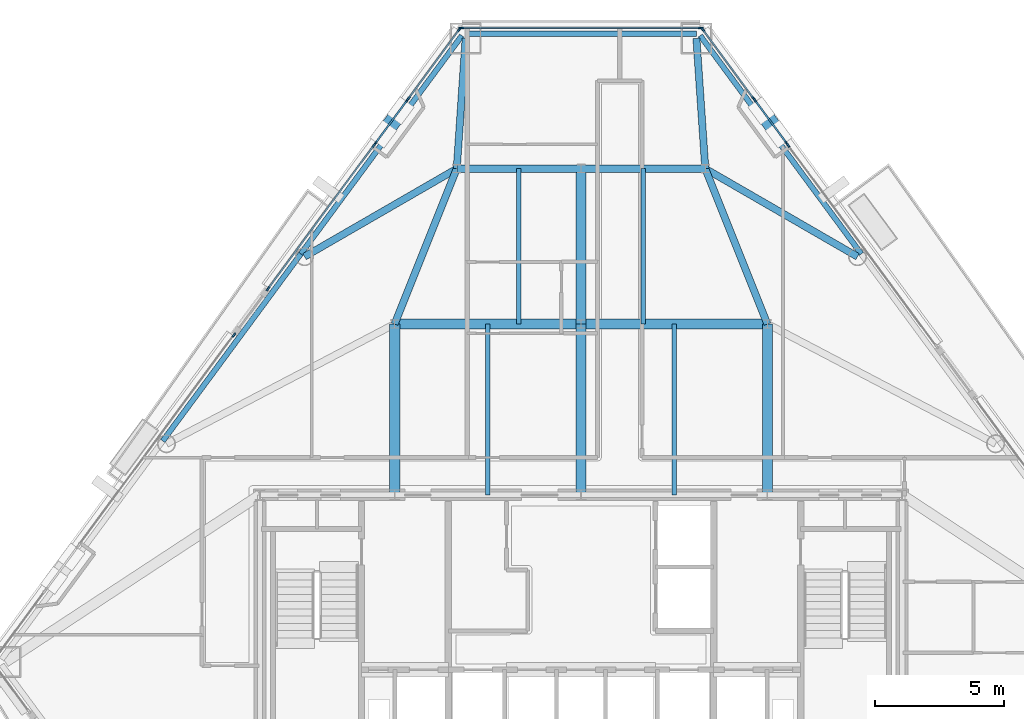
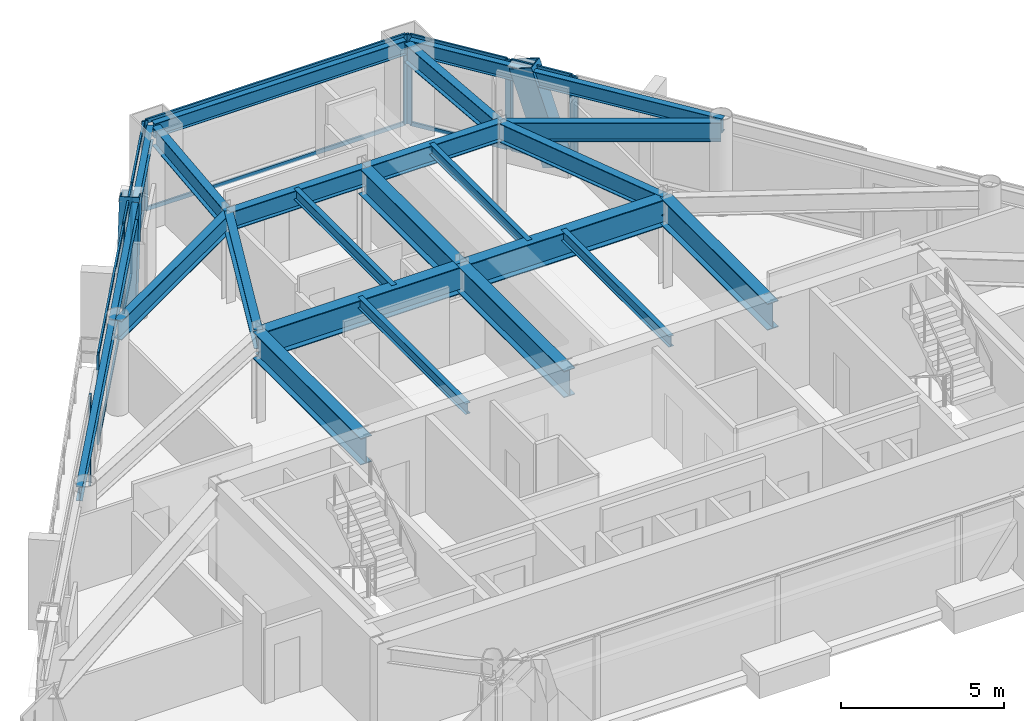
# One storey, part 4 of 11: 28 members, 22 beams, 8 elements without a shape of their own.
"""IFC4 building model written with IfcOpenShell, lengths in metres."""

import ifcopenshell
import ifcopenshell.guid

model = None  # the IFC model being written
_history = None  # IfcOwnerHistory: only IFC2X3 demands one
_inside = {}  # id of a spatial element -> (the spatial element, [elements in it])
_under = {}  # id of a project, library or spatial element -> (it, [spatial elements below it])
_declared = {}  # id of a project -> (the project, [libraries it declares])
_typed = {}  # id of a type object -> (the type object, [elements of that type])
_made_of = {}  # id of a material, layer set ... -> (it, [elements and type objects made of it])


def new_model(schema):
    """Start an empty IFC model of exactly this schema.

    Asked for "IFC4X3", IfcOpenShell would pick the latest addendum, in which some entities
    have other attributes; the version numbers below select the first issue.
    IFC2X3 requires an IfcOwnerHistory on every rooted entity: one is made here for all.
    """
    global model, _history
    if schema == "IFC4X3":
        model = ifcopenshell.file(schema_version=(4, 3, 0, 0))
    else:
        model = ifcopenshell.file(schema=schema)
    _inside.clear()
    _under.clear()
    _declared.clear()
    _typed.clear()
    _made_of.clear()
    _history = None
    if model.schema == "IFC2X3":
        org = make("IfcOrganization", Name="unknown")
        user = make(
            "IfcPersonAndOrganization",
            ThePerson=make("IfcPerson", FamilyName="unknown"),
            TheOrganization=org,
        )
        app = make(
            "IfcApplication",
            ApplicationDeveloper=org,
            Version="unknown",
            ApplicationFullName="unknown",
            ApplicationIdentifier="unknown",
        )
        _history = make(
            "IfcOwnerHistory",
            OwningUser=user,
            OwningApplication=app,
            ChangeAction="ADDED",
            CreationDate=0,
        )
    return model


def make(cls, **values):
    """One entity of the class cls with the attributes given. An attribute that is None is left unset."""
    return model.create_entity(
        cls, **{name: value for name, value in values.items() if value is not None}
    )


def rooted(cls, **values):
    """An entity with a GlobalId (a new one), such as an element, a storey or a relation."""
    return make(cls, GlobalId=ifcopenshell.guid.new(), OwnerHistory=_history, **values)


def si_unit(unit_type, name, prefix=None):
    """IfcSIUnit, for example si_unit("LENGTHUNIT", "METRE", prefix="MILLI")."""
    return make("IfcSIUnit", UnitType=unit_type, Prefix=prefix, Name=name)


def assignment(units):
    """IfcUnitAssignment: the units of a project."""
    return None if units is None else make("IfcUnitAssignment", Units=units)


def point(xyz):
    """IfcCartesianPoint."""
    return None if xyz is None else make("IfcCartesianPoint", Coordinates=xyz)


def direction(xyz):
    """IfcDirection."""
    return None if xyz is None else make("IfcDirection", DirectionRatios=xyz)


def frame(location, z_axis=None, x_axis=None):
    """IfcAxis2Placement3D, a coordinate frame: its origin and axes. An axis left out is left unset."""
    return make(
        "IfcAxis2Placement3D",
        Location=point(location),
        Axis=direction(z_axis),
        RefDirection=direction(x_axis),
    )


def frame_2d(location, x_axis=None):
    """IfcAxis2Placement2D, a coordinate frame in the plane: its origin and x axis."""
    return make(
        "IfcAxis2Placement2D", Location=point(location), RefDirection=direction(x_axis)
    )


def origin():
    """The frame at (0, 0, 0) with its axes left unset."""
    return frame((0.0, 0.0, 0.0))


def origin_2d():
    """The frame at (0, 0) in the plane with its x axis left unset."""
    return frame_2d((0.0, 0.0))


def place(relative_to, where):
    """IfcLocalPlacement: puts the frame where relative to a parent placement (None: the world)."""
    return make(
        "IfcLocalPlacement", PlacementRelTo=relative_to, RelativePlacement=where
    )


def context(
    kind, dimensions, precision=None, world=None, true_north=None, identifier=None
):
    """IfcGeometricRepresentationContext, for example the 3D "Model" context."""
    return make(
        "IfcGeometricRepresentationContext",
        ContextIdentifier=identifier,
        ContextType=kind,
        CoordinateSpaceDimension=dimensions,
        Precision=precision,
        WorldCoordinateSystem=world,
        TrueNorth=true_north,
    )


def subcontext(parent, identifier, kind, view, scale=None):
    """IfcGeometricRepresentationSubContext, for example "Body" below "Model"."""
    return make(
        "IfcGeometricRepresentationSubContext",
        ContextIdentifier=identifier,
        ContextType=kind,
        ParentContext=parent,
        TargetScale=scale,
        TargetView=view,
    )


def project(units=None, contexts=None):
    """IfcProject with its units and contexts."""
    return rooted(
        "IfcProject",
        Name="project",
        RepresentationContexts=contexts,
        UnitsInContext=assignment(units),
    )


def spatial(cls, under=None, at=None, **own):
    """A site, building, storey or space (cls), placed at a placement, below another one or the project."""
    s = rooted(cls, ObjectPlacement=at, **own)
    if under is not None:
        _under.setdefault(under.id(), (under, []))[1].append(s)
    return s


def profile(cls, at=None, kind="AREA", **sizes):
    """A parametric profile (cls). Its sizes go by their IFC names, for example OverallWidth=200.0."""
    return make(cls, ProfileType=kind, Position=at, **sizes)


def rectangle(**sizes):
    """IfcRectangleProfileDef."""
    return profile("IfcRectangleProfileDef", **sizes)


def hollow_rectangle(**sizes):
    """IfcRectangleHollowProfileDef."""
    return profile("IfcRectangleHollowProfileDef", **sizes)


def i_section(**sizes):
    """IfcIShapeProfileDef."""
    return profile("IfcIShapeProfileDef", **sizes)


def extrude(swept, where, along, depth):
    """IfcExtrudedAreaSolid: the profile swept, set in the frame where, extruded along a direction by depth."""
    return make(
        "IfcExtrudedAreaSolid",
        SweptArea=swept,
        Position=where,
        ExtrudedDirection=direction(along),
        Depth=depth,
    )


def shape(context_of_items, identifier, shape_type, items):
    """IfcShapeRepresentation: the items that make up one representation, for example the "Body"."""
    return make(
        "IfcShapeRepresentation",
        ContextOfItems=context_of_items,
        RepresentationIdentifier=identifier,
        RepresentationType=shape_type,
        Items=items,
    )


def material(Name=None, Category=None):
    """IfcMaterial."""
    return make("IfcMaterial", Name=Name, Category=Category)


def layer(
    of_material, thickness, ventilated=None, Name=None, Category=None, Priority=None
):
    """IfcMaterialLayer: one layer of a wall or slab, of a material (None: an air gap)."""
    return make(
        "IfcMaterialLayer",
        Material=of_material,
        LayerThickness=thickness,
        IsVentilated=ventilated,
        Name=Name,
        Category=Category,
        Priority=Priority,
    )


def layer_set(layers, Name=None):
    """IfcMaterialLayerSet."""
    return make("IfcMaterialLayerSet", MaterialLayers=layers, LayerSetName=Name)


def material_profile(
    of_material, cross_section, Name=None, Category=None, Priority=None
):
    """IfcMaterialProfile: a cross section and its material."""
    return make(
        "IfcMaterialProfile",
        Name=Name,
        Material=of_material,
        Profile=cross_section,
        Priority=Priority,
        Category=Category,
    )


def profile_set(profiles, Name=None, composite=None):
    """IfcMaterialProfileSet."""
    return make(
        "IfcMaterialProfileSet",
        Name=Name,
        MaterialProfiles=profiles,
        CompositeProfile=composite,
    )


def made_of(thing, what):
    """Note that an element or type object is made of a material, layer set ...; save() writes the relation."""
    if what is not None:
        _made_of.setdefault(what.id(), (what, []))[1].append(thing)
    return thing


def type_object(cls, material=None, **own):
    """A type object (cls), such as IfcWallType, which elements share."""
    return made_of(rooted(cls, **own), material)


def element(
    cls,
    number,
    at=None,
    inside=None,
    cuts=None,
    type_object=None,
    material=None,
    context=None,
    identifier="Body",
    shape_type=None,
    held_by="IfcProductDefinitionShape",
    body=None,
    shapes=None,
    **own,
):
    """One element of the class cls, such as IfcWall. Its Tag is "e" and its number.

    at: its placement. inside: the storey or other place that contains it. cuts: it is an
    opening in that element (IfcRelVoidsElement). A single representation is given by context,
    identifier, shape_type and body (its items); several are given by shapes. held_by: the class
    of the entity that holds the representations. save() writes the other relations.
    """
    e = rooted(cls, Tag="e%d" % number, ObjectPlacement=at, **own)
    if body is not None:
        shapes = [shape(context, identifier, shape_type, body)]
    if shapes is not None:
        e.Representation = make(held_by, Representations=shapes)
    if inside is not None:
        _inside.setdefault(inside.id(), (inside, []))[1].append(e)
    if cuts is not None:
        rooted(
            "IfcRelVoidsElement", RelatingBuildingElement=cuts, RelatedOpeningElement=e
        )
    if type_object is not None:
        _typed.setdefault(type_object.id(), (type_object, []))[1].append(e)
    return made_of(e, material)


def aggregate(whole, parts):
    """IfcRelAggregates: a whole, such as a stair, and the parts it consists of."""
    return rooted("IfcRelAggregates", RelatingObject=whole, RelatedObjects=parts)


def save(model, path):
    """Write the relations noted so far, then the file.

    IfcRelAggregates (storeys below a building ...), IfcRelContainedInSpatialStructure (elements
    in a storey), IfcRelDefinesByType, IfcRelAssociatesMaterial and IfcRelDeclares: one each for
    every whole, place, type object, material and project.
    """
    for whole, parts in _under.values():
        aggregate(whole, parts)
    for where, things in _inside.values():
        rooted(
            "IfcRelContainedInSpatialStructure",
            RelatedElements=things,
            RelatingStructure=where,
        )
    for kind, things in _typed.values():
        rooted("IfcRelDefinesByType", RelatedObjects=things, RelatingType=kind)
    for what, things in _made_of.values():
        rooted("IfcRelAssociatesMaterial", RelatedObjects=things, RelatingMaterial=what)
    for by, libraries in _declared.values():
        rooted("IfcRelDeclares", RelatingContext=by, RelatedDefinitions=libraries)
    model.write(path)


model = new_model("IFC4")

# Units and contexts
model_context = context("Model", 3, precision=1e-05, world=origin(), true_north=direction((0.0, 1.0)))
body_context = subcontext(model_context, "Body", "Model", "MODEL_VIEW")
ifc_project = project(units=[si_unit("LENGTHUNIT", "METRE"), si_unit("AREAUNIT", "SQUARE_METRE"), si_unit("VOLUMEUNIT", "CUBIC_METRE"), si_unit("PLANEANGLEUNIT", "RADIAN"), si_unit("MASSUNIT", "GRAM", prefix="KILO")], contexts=[model_context])

# Site, building, storey
site_placement = place(None, origin())
site = spatial("IfcSite", under=ifc_project, at=site_placement, CompositionType="ELEMENT")
building_placement = place(site_placement, origin())
building = spatial("IfcBuilding", under=site, at=building_placement, Name="Talgorran Terracotta Tower", CompositionType="ELEMENT")
storey_placement = place(building_placement, frame((0.0, 0.0, 158.10009765625)))
storey = spatial("IfcBuildingStorey", under=building, at=storey_placement, Name="L41", CompositionType="ELEMENT", Elevation=158.10009765625)

# Beams
ifc_material_1 = material(Name="Steel Grade 350 (350L0)", Category="steel")
ifc_material_profile_1 = material_profile(ifc_material_1, i_section(OverallWidth=0.39990234375, OverallDepth=1.0, WebThickness=0.01611328125, FlangeThickness=0.031005859375, at=origin_2d()), Name="1000WB296")
ifc_profile_set_1 = profile_set([ifc_material_profile_1], Name="Steel Grade 350 (350L0)")
beam_type_1 = type_object("IfcBeamType", Name="BM_1000WB296", PredefinedType="BEAM", material=ifc_profile_set_1)
for number, where, z_axis, x_axis, name in (
    (1, (-7.199951171875, -4.199951171875, 2.849853515625), (0.0, 1.0, 0.0), (-1.0, 0.0, 0.0), "L41 Floor Girder G01"),
    (2, (0.0, -4.199951171875, 2.849853515625), (0.0, 1.0, 0.0), (-1.0, 0.0, 0.0), "L41 Floor Girder G02"),
    (3, (7.199951171875, -4.199951171875, 2.849853515625), (0.0, 1.0, 0.0), (-1.0, 0.0, 0.0), "L41 Floor Girder G03"),
):
    element("IfcBeam", number, at=place(storey_placement, frame(where, z_axis=z_axis, x_axis=x_axis)), inside=storey, type_object=beam_type_1, Name=name, PredefinedType="BEAM", context=body_context, shape_type="SweptSolid", body=[
        extrude(i_section(OverallWidth=0.39990234375, OverallDepth=1.0, WebThickness=0.01611328125, FlangeThickness=0.031005859375, at=origin_2d()), origin(), (0.0, 0.0, 1.0), 6.599853515625),
    ])
for number, where, z_axis, x_axis, name in (
    (4, (-7.199951171875, 2.39990234375, 2.849853515625), (1.0, 0.0, 0.0), (0.0, 1.0, 0.0), "L41 Floor Girder G04"),
    (5, (0.0, 2.39990234375, 2.849853515625), (1.0, 0.0, 0.0), (0.0, 1.0, 0.0), "L41 Floor Girder G05"),
):
    element("IfcBeam", number, at=place(storey_placement, frame(where, z_axis=z_axis, x_axis=x_axis)), inside=storey, type_object=beam_type_1, Name=name, PredefinedType="BEAM", context=body_context, shape_type="SweptSolid", body=[
        extrude(i_section(OverallWidth=0.39990234375, OverallDepth=1.0, WebThickness=0.01611328125, FlangeThickness=0.031005859375, at=origin_2d()), origin(), (0.0, 0.0, 1.0), 7.199951171875),
    ])
beam_1_placement = place(storey_placement, frame((0.0, 2.39990234375, 2.849853515625), z_axis=(0.0, 1.0, 0.0), x_axis=(-1.0, 0.0, 0.0)))
element("IfcBeam", 6, at=beam_1_placement, inside=storey, type_object=beam_type_1, Name="L41 Floor Girder G09", PredefinedType="BEAM", context=body_context, shape_type="SweptSolid", body=[
    extrude(i_section(OverallWidth=0.39990234375, OverallDepth=1.0, WebThickness=0.01611328125, FlangeThickness=0.031005859375, at=origin_2d()), origin(), (0.0, 0.0, 1.0), 6.0),
])
ifc_material_2 = material(Name="Steel S355 (300PLUS)", Category="steel")
ifc_material_profile_2 = material_profile(ifc_material_2, i_section(OverallWidth=0.27490234375, OverallDepth=0.7080078125, WebThickness=0.011962890625, FlangeThickness=0.02490234375, at=origin_2d()), Name="700WB173")
ifc_profile_set_2 = profile_set([ifc_material_profile_2], Name="Steel S355 (300PLUS)")
beam_type_2 = type_object("IfcBeamType", Name="BM_700WB173", PredefinedType="BEAM", material=ifc_profile_set_2)
for number, where, z_axis, x_axis, name in (
    (7, (-7.199951171875, 2.39990234375, 2.995849609375), (0.371377648723, 0.928481901832, 0.0), (-0.928481901832, 0.371377648723, 0.0), "L41 Floor Girder G08"),
    (8, (7.199951171875, 2.39990234375, 2.995849609375), (-0.371377648723, 0.928481901832, 0.0), (-0.928481901832, -0.371377648723, 0.0), "L41 Floor Girder G10"),
):
    element("IfcBeam", number, at=place(storey_placement, frame(where, z_axis=z_axis, x_axis=x_axis)), inside=storey, type_object=beam_type_2, Name=name, PredefinedType="BEAM", context=body_context, shape_type="SweptSolid", body=[
        extrude(i_section(OverallWidth=0.27490234375, OverallDepth=0.7080078125, WebThickness=0.011962890625, FlangeThickness=0.02490234375, at=origin_2d()), origin(), (0.0, 0.0, 1.0), 6.462158203125),
    ])
for number, where, z_axis, x_axis, name in (
    (9, (-4.800048828125, 8.39990234375, 2.995849609375), (1.0, 0.0, 0.0), (0.0, 1.0, 0.0), "L41 Floor Girder G11"),
    (10, (0.0, 8.39990234375, 2.995849609375), (1.0, 0.0, 0.0), (0.0, 1.0, 0.0), "L41 Floor Girder G12"),
):
    element("IfcBeam", number, at=place(storey_placement, frame(where, z_axis=z_axis, x_axis=x_axis)), inside=storey, type_object=beam_type_2, Name=name, PredefinedType="BEAM", context=body_context, shape_type="SweptSolid", body=[
        extrude(i_section(OverallWidth=0.27490234375, OverallDepth=0.7080078125, WebThickness=0.011962890625, FlangeThickness=0.02490234375, at=origin_2d()), origin(), (0.0, 0.0, 1.0), 4.800048828125),
    ])
for number, where, z_axis, x_axis, name in (
    (11, (-4.800048828125, 8.39990234375, 2.995849609375), (-0.865887916747, -0.500238058959, 0.0), (0.500238058959, -0.865887916747, 0.0), "L41 Floor Girder G13"),
    (12, (4.800048828125, 8.39990234375, 2.995849609375), (0.865887916747, -0.500238058959, 0.0), (0.500238058959, 0.865887916747, 0.0), "L41 Floor Girder G14"),
):
    element("IfcBeam", number, at=place(storey_placement, frame(where, z_axis=z_axis, x_axis=x_axis)), inside=storey, type_object=beam_type_2, Name=name, PredefinedType="BEAM", context=body_context, shape_type="SweptSolid", body=[
        extrude(i_section(OverallWidth=0.27490234375, OverallDepth=0.7080078125, WebThickness=0.011962890625, FlangeThickness=0.02490234375, at=origin_2d()), origin(), (0.0, 0.0, 1.0), 6.789794921875),
    ])
for number, where, z_axis, x_axis, name in (
    (13, (-4.800048828125, 8.39990234375, 2.995849609375), (0.067973543266, 0.99768712401, 0.0), (-0.99768712401, 0.067973543266, 0.0), "L41 Floor Girder G15"),
    (14, (4.800048828125, 8.39990234375, 2.995849609375), (-0.067973543266, 0.99768712401, 0.0), (-0.99768712401, -0.067973543266, 0.0), "L41 Floor Girder G16"),
):
    element("IfcBeam", number, at=place(storey_placement, frame(where, z_axis=z_axis, x_axis=x_axis)), inside=storey, type_object=beam_type_2, Name=name, PredefinedType="BEAM", context=body_context, shape_type="SweptSolid", body=[
        extrude(i_section(OverallWidth=0.27490234375, OverallDepth=0.7080078125, WebThickness=0.011962890625, FlangeThickness=0.02490234375, at=origin_2d()), origin(), (0.0, 0.0, 1.0), 5.04638671875),
    ])
ifc_material_profile_3 = material_profile(ifc_material_2, i_section(OverallWidth=0.177734375, OverallDepth=0.406494140625, WebThickness=0.0078125, FlangeThickness=0.0126953125, at=origin_2d()), Name="410UB59.7")
ifc_profile_set_3 = profile_set([ifc_material_profile_3], Name="Steel S355 (300PLUS)")
beam_type_3 = type_object("IfcBeamType", Name="BM_JS_410UB60", PredefinedType="JOIST", material=ifc_profile_set_3)
for number, where, z_axis, x_axis, name in (
    (15, (-3.60009765625, -4.199951171875, 3.146728515625), (0.0, 1.0, 0.0), (-1.0, 0.0, 0.0), "L41 Secondary Joist J01"),
    (16, (3.60009765625, -4.199951171875, 3.146728515625), (0.0, 1.0, 0.0), (-1.0, 0.0, 0.0), "L41 Secondary Joist J02"),
):
    element("IfcBeam", number, at=place(storey_placement, frame(where, z_axis=z_axis, x_axis=x_axis)), inside=storey, type_object=beam_type_3, Name=name, PredefinedType="JOIST", context=body_context, shape_type="SweptSolid", body=[
        extrude(i_section(OverallWidth=0.177734375, OverallDepth=0.406494140625, WebThickness=0.0078125, FlangeThickness=0.0126953125, at=origin_2d()), origin(), (0.0, 0.0, 1.0), 6.599853515625),
    ])
for number, where, z_axis, x_axis, name in (
    (17, (-2.39990234375, 2.39990234375, 3.146728515625), (0.0, 1.0, 0.0), (-1.0, 0.0, 0.0), "L41 Secondary Joist J03"),
    (18, (2.39990234375, 2.39990234375, 3.146728515625), (0.0, 1.0, 0.0), (-1.0, 0.0, 0.0), "L41 Secondary Joist J04"),
):
    element("IfcBeam", number, at=place(storey_placement, frame(where, z_axis=z_axis, x_axis=x_axis)), inside=storey, type_object=beam_type_3, Name=name, PredefinedType="JOIST", context=body_context, shape_type="SweptSolid", body=[
        extrude(i_section(OverallWidth=0.177734375, OverallDepth=0.406494140625, WebThickness=0.0078125, FlangeThickness=0.0126953125, at=origin_2d()), origin(), (0.0, 0.0, 1.0), 6.0),
    ])
ifc_material_profile_4 = material_profile(ifc_material_2, i_section(OverallWidth=0.209228515625, OverallDepth=0.532958984375, WebThickness=0.01025390625, FlangeThickness=0.015625, at=origin_2d()), Name="530UB92.4")
ifc_profile_set_4 = profile_set([ifc_material_profile_4], Name="Steel S355 (300PLUS)")
beam_type_4 = type_object("IfcBeamType", Name="BM_SP_530UB92", PredefinedType="SPANDREL", material=ifc_profile_set_4)
beam_2_placement = place(storey_placement, frame((10.823974609375, 5.1103515625, 3.08349609375), z_axis=(-0.593801302641, 0.804611715663, 0.0), x_axis=(-0.804611715663, -0.593801302641, 0.0)))
element("IfcBeam", 19, at=beam_2_placement, inside=storey, type_object=beam_type_4, Name="L41 Perimeter Spandrel Beam FC4-MC5", PredefinedType="SPANDREL", context=body_context, shape_type="SweptSolid", body=[
    extrude(i_section(OverallWidth=0.209228515625, OverallDepth=0.532958984375, WebThickness=0.01025390625, FlangeThickness=0.015625, at=origin_2d()), origin(), (0.0, 0.0, 1.0), 10.478515625),
])
beam_3_placement = place(storey_placement, frame((4.45703125, 13.614501953125, 3.08349609375), z_axis=(-1.0, 0.0, 0.0), x_axis=(0.0, -1.0, 0.0)))
element("IfcBeam", 20, at=beam_3_placement, inside=storey, type_object=beam_type_4, Name="L41 Perimeter Spandrel Beam MC5-MC6", PredefinedType="SPANDREL", context=body_context, shape_type="SweptSolid", body=[
    extrude(i_section(OverallWidth=0.209228515625, OverallDepth=0.532958984375, WebThickness=0.01025390625, FlangeThickness=0.015625, at=origin_2d()), origin(), (0.0, 0.0, 1.0), 8.9140625),
])
beam_4_placement = place(storey_placement, frame((-4.601806640625, 13.54150390625, 3.08349609375), z_axis=(-0.593801302641, -0.804611715663, 0.0), x_axis=(0.804611715663, -0.593801302641, 0.0)))
element("IfcBeam", 21, at=beam_4_placement, inside=storey, type_object=beam_type_4, Name="L41 Perimeter Spandrel Beam MC6-FC5", PredefinedType="SPANDREL", context=body_context, shape_type="SweptSolid", body=[
    extrude(i_section(OverallWidth=0.209228515625, OverallDepth=0.532958984375, WebThickness=0.01025390625, FlangeThickness=0.015625, at=origin_2d()), origin(), (0.0, 0.0, 1.0), 10.478515625),
])
beam_5_placement = place(storey_placement, frame((-10.823974609375, 5.1103515625, 3.08349609375), z_axis=(-0.593775624387, -0.804630665513, 0.0), x_axis=(0.804630665513, -0.593775624387, 0.0)))
element("IfcBeam", 22, at=beam_5_placement, inside=storey, type_object=beam_type_4, Name="L41 Perimeter Spandrel Beam FC5-FC6", PredefinedType="SPANDREL", context=body_context, shape_type="SweptSolid", body=[
    extrude(i_section(OverallWidth=0.209228515625, OverallDepth=0.532958984375, WebThickness=0.01025390625, FlangeThickness=0.015625, at=origin_2d()), origin(), (0.0, 0.0, 1.0), 8.9814453125),
])

# Members
ifc_material_profile_5 = material_profile(ifc_material_1, hollow_rectangle(XDim=0.6201171875, YDim=0.780029296875, WallThickness=0.0419921875, at=origin_2d()), Name="WBOX780X620X42")
ifc_profile_set_5 = profile_set([ifc_material_profile_5], Name="Steel Grade 350 (350L0)")
member_type_1 = type_object("IfcMemberType", Name="MB_MEGA_780", PredefinedType="BRACE", material=ifc_profile_set_5)
for number, where, z_axis, x_axis, name in (
    (23, (7.6337890625, 9.736083984375, -0.025146484375), (-0.186386564624, 0.252583109704, 0.949453432887), (-0.80464078172, -0.59376191558, 0.0), "L41 Exterior Face Mega-Brace MB-2 (NEU)"),
    (24, (-7.6337890625, 9.736083984375, -0.025146484375), (0.186386564624, 0.252583109704, 0.949453432887), (-0.80464078172, 0.59376191558, 0.0), "L41 Exterior Face Mega-Brace MB-2 (NWU)"),
):
    element("IfcMember", number, at=place(storey_placement, frame(where, z_axis=z_axis, x_axis=x_axis)), inside=storey, type_object=member_type_1, Name=name, PredefinedType="BRACE", context=body_context, shape_type="SweptSolid", body=[
        extrude(hollow_rectangle(XDim=0.6201171875, YDim=0.780029296875, WallThickness=0.0419921875, at=origin_2d()), origin(), (0.0, 0.0, 1.0), 3.5810546875),
    ])

# Curtain wall, member
ifc_material_3 = material(Name="Unitised Low-E Double Glazing", Category="glass")
ifc_layer = layer(ifc_material_3, 0.199951171875, Name="CW_SYS2_RES_LOW")
ifc_layer_set = layer_set([ifc_layer], Name="Unitised Low-E Double Glazing")
curtain_wall_type = type_object("IfcCurtainWallType", Name="CW_SYS2_RES_LOW", PredefinedType="NOTDEFINED", material=ifc_layer_set)
curtain_wall_1_placement = place(storey_placement, origin())
curtain_wall_1 = element("IfcCurtainWall", 25, at=curtain_wall_1_placement, inside=storey, type_object=curtain_wall_type, Name="CW-L41-F41", PredefinedType="NOTDEFINED")
ifc_material_4 = material(Name="Architectural Aluminium 6063-T6", Category="aluminium")
ifc_material_profile_6 = material_profile(ifc_material_4, rectangle(XDim=0.06494140625, YDim=0.18505859375, at=origin_2d()), Name="CWM65X185")
ifc_profile_set_6 = profile_set([ifc_material_profile_6], Name="Architectural Aluminium 6063-T6")
member_type_2 = type_object("IfcMemberType", Name="MUL_65X185", PredefinedType="MULLION", material=ifc_profile_set_6)
member_1_placement = place(storey_placement, frame((7.997314453125, 9.31103515625, 0.0), z_axis=(0.0, 0.0, 1.0), x_axis=(-0.804622027975, -0.593787329013, 0.0)))
member_1 = element("IfcMember", 26, at=member_1_placement, type_object=member_type_2, Name="CW-L41-41 mullion 2", PredefinedType="MULLION", context=body_context, shape_type="SweptSolid", body=[
    extrude(rectangle(XDim=0.06494140625, YDim=0.18505859375, at=origin_2d()), origin(), (0.0, 0.0, 1.0), 3.349853515625),
])
aggregate(curtain_wall_1, [member_1])

# Curtain wall, members
curtain_wall_2_placement = place(storey_placement, origin())
curtain_wall_2 = element("IfcCurtainWall", 27, at=curtain_wall_2_placement, inside=storey, type_object=curtain_wall_type, Name="CW-L41-F41B", PredefinedType="NOTDEFINED")
member_2_placement = place(storey_placement, frame((7.952880859375, 9.371337890625, 0.0), z_axis=(0.0, 0.0, 1.0), x_axis=(-0.804614726694, -0.593797222616, 0.0)))
member_2 = element("IfcMember", 28, at=member_2_placement, type_object=member_type_2, Name="CW-L41-41B mullion 1", PredefinedType="MULLION", context=body_context, shape_type="SweptSolid", body=[
    extrude(rectangle(XDim=0.06494140625, YDim=0.18505859375, at=origin_2d()), origin(), (0.0, 0.0, 1.0), 3.349853515625),
])
member_3_placement = place(storey_placement, frame((6.7119140625, 11.052978515625, 0.0), z_axis=(0.0, 0.0, 1.0), x_axis=(-0.804614726694, -0.593797222616, 0.0)))
member_3 = element("IfcMember", 29, at=member_3_placement, type_object=member_type_2, Name="CW-L41-41B mullion 2", PredefinedType="MULLION", context=body_context, shape_type="SweptSolid", body=[
    extrude(rectangle(XDim=0.06494140625, YDim=0.18505859375, at=origin_2d()), origin(), (0.0, 0.0, 1.0), 3.349853515625),
])

curtain_wall_3_placement = place(storey_placement, origin())
curtain_wall_3 = element("IfcCurtainWall", 30, at=curtain_wall_3_placement, inside=storey, type_object=curtain_wall_type, Name="CW-L41-F41C", PredefinedType="NOTDEFINED")
member_4_placement = place(storey_placement, frame((6.667236328125, 11.11328125, 0.0), z_axis=(0.0, 0.0, 1.0), x_axis=(-0.804623631783, -0.59378515574, 0.0)))
member_4 = element("IfcMember", 31, at=member_4_placement, type_object=member_type_2, Name="CW-L41-41C mullion 1", PredefinedType="MULLION", context=body_context, shape_type="SweptSolid", body=[
    extrude(rectangle(XDim=0.06494140625, YDim=0.18505859375, at=origin_2d()), origin(), (0.0, 0.0, 1.0), 3.349853515625),
])
member_5_placement = place(storey_placement, frame((4.7021484375, 13.7763671875, 0.0), z_axis=(0.0, 0.0, 1.0), x_axis=(-0.804623631783, -0.59378515574, 0.0)))
member_5 = element("IfcMember", 32, at=member_5_placement, type_object=member_type_2, Name="CW-L41-41C mullion 2", PredefinedType="MULLION", context=body_context, shape_type="SweptSolid", body=[
    extrude(rectangle(XDim=0.06494140625, YDim=0.18505859375, at=origin_2d()), origin(), (0.0, 0.0, 1.0), 3.349853515625),
])

curtain_wall_4_placement = place(storey_placement, origin())
curtain_wall_4 = element("IfcCurtainWall", 33, at=curtain_wall_4_placement, inside=storey, type_object=curtain_wall_type, Name="CW-L41-F4", PredefinedType="NOTDEFINED")
member_6_placement = place(storey_placement, frame((4.62646484375, 13.834716796875, 0.0), z_axis=(0.0, 0.0, 1.0), x_axis=(0.0, -1.0, 0.0)))
member_6 = element("IfcMember", 34, at=member_6_placement, type_object=member_type_2, Name="CW-L41-4 mullion 1", PredefinedType="MULLION", context=body_context, shape_type="SweptSolid", body=[
    extrude(rectangle(XDim=0.06494140625, YDim=0.18505859375, at=origin_2d()), origin(), (0.0, 0.0, 1.0), 3.349853515625),
])
member_7_placement = place(storey_placement, frame((-4.62646484375, 13.834716796875, 0.0), z_axis=(0.0, 0.0, 1.0), x_axis=(0.0, -1.0, 0.0)))
member_7 = element("IfcMember", 35, at=member_7_placement, type_object=member_type_2, Name="CW-L41-4 mullion 2", PredefinedType="MULLION", context=body_context, shape_type="SweptSolid", body=[
    extrude(rectangle(XDim=0.06494140625, YDim=0.18505859375, at=origin_2d()), origin(), (0.0, 0.0, 1.0), 3.349853515625),
])

curtain_wall_5_placement = place(storey_placement, origin())
curtain_wall_5 = element("IfcCurtainWall", 36, at=curtain_wall_5_placement, inside=storey, type_object=curtain_wall_type, Name="CW-L41-F60", PredefinedType="NOTDEFINED")
member_8_placement = place(storey_placement, frame((-4.7021484375, 13.7763671875, 0.0), z_axis=(0.0, 0.0, 1.0), x_axis=(0.804623631783, -0.59378515574, 0.0)))
member_8 = element("IfcMember", 37, at=member_8_placement, type_object=member_type_2, Name="CW-L41-60 mullion 1", PredefinedType="MULLION", context=body_context, shape_type="SweptSolid", body=[
    extrude(rectangle(XDim=0.06494140625, YDim=0.18505859375, at=origin_2d()), origin(), (0.0, 0.0, 1.0), 3.349853515625),
])
member_9_placement = place(storey_placement, frame((-6.667236328125, 11.11328125, 0.0), z_axis=(0.0, 0.0, 1.0), x_axis=(0.804623631783, -0.59378515574, 0.0)))
member_9 = element("IfcMember", 38, at=member_9_placement, type_object=member_type_2, Name="CW-L41-60 mullion 2", PredefinedType="MULLION", context=body_context, shape_type="SweptSolid", body=[
    extrude(rectangle(XDim=0.06494140625, YDim=0.18505859375, at=origin_2d()), origin(), (0.0, 0.0, 1.0), 3.349853515625),
])

curtain_wall_6_placement = place(storey_placement, origin())
curtain_wall_6 = element("IfcCurtainWall", 39, at=curtain_wall_6_placement, inside=storey, type_object=curtain_wall_type, Name="CW-L41-F60B", PredefinedType="NOTDEFINED")
member_10_placement = place(storey_placement, frame((-6.7119140625, 11.052978515625, 0.0), z_axis=(0.0, 0.0, 1.0), x_axis=(0.804614726694, -0.593797222616, 0.0)))
member_10 = element("IfcMember", 40, at=member_10_placement, type_object=member_type_2, Name="CW-L41-60B mullion 1", PredefinedType="MULLION", context=body_context, shape_type="SweptSolid", body=[
    extrude(rectangle(XDim=0.06494140625, YDim=0.18505859375, at=origin_2d()), origin(), (0.0, 0.0, 1.0), 3.349853515625),
])
member_11_placement = place(storey_placement, frame((-7.952880859375, 9.371337890625, 0.0), z_axis=(0.0, 0.0, 1.0), x_axis=(0.804614726694, -0.593797222616, 0.0)))
member_11 = element("IfcMember", 41, at=member_11_placement, type_object=member_type_2, Name="CW-L41-60B mullion 2", PredefinedType="MULLION", context=body_context, shape_type="SweptSolid", body=[
    extrude(rectangle(XDim=0.06494140625, YDim=0.18505859375, at=origin_2d()), origin(), (0.0, 0.0, 1.0), 3.349853515625),
])

curtain_wall_7_placement = place(storey_placement, origin())
curtain_wall_7 = element("IfcCurtainWall", 42, at=curtain_wall_7_placement, inside=storey, type_object=curtain_wall_type, Name="CW-L41-F60C", PredefinedType="NOTDEFINED")
member_12_placement = place(storey_placement, frame((-7.997314453125, 9.31103515625, 0.0), z_axis=(0.0, 0.0, 1.0), x_axis=(0.804621006295, -0.593788713457, 0.0)))
member_12 = element("IfcMember", 43, at=member_12_placement, type_object=member_type_2, Name="CW-L41-60C mullion 1", PredefinedType="MULLION", context=body_context, shape_type="SweptSolid", body=[
    extrude(rectangle(XDim=0.06494140625, YDim=0.18505859375, at=origin_2d()), origin(), (0.0, 0.0, 1.0), 3.349853515625),
])
member_13_placement = place(storey_placement, frame((-12.08984375, 3.765380859375, 0.0), z_axis=(0.0, 0.0, 1.0), x_axis=(0.804621006295, -0.593788713457, 0.0)))
member_13 = element("IfcMember", 44, at=member_13_placement, type_object=member_type_2, Name="CW-L41-60C mullion 2", PredefinedType="MULLION", context=body_context, shape_type="SweptSolid", body=[
    extrude(rectangle(XDim=0.06494140625, YDim=0.18505859375, at=origin_2d()), origin(), (0.0, 0.0, 1.0), 3.349853515625),
])

# Curtain wall, member
curtain_wall_8_placement = place(storey_placement, origin())
curtain_wall_8 = element("IfcCurtainWall", 45, at=curtain_wall_8_placement, inside=storey, type_object=curtain_wall_type, Name="CW-L41-F61", PredefinedType="NOTDEFINED")
member_14_placement = place(storey_placement, frame((-13.410888671875, 1.97509765625, 0.0), z_axis=(0.0, 0.0, 1.0), x_axis=(0.804623152211, -0.593785805595, 0.0)))
member_14 = element("IfcMember", 46, at=member_14_placement, type_object=member_type_2, Name="CW-L41-61 mullion 1", PredefinedType="MULLION", context=body_context, shape_type="SweptSolid", body=[
    extrude(rectangle(XDim=0.06494140625, YDim=0.18505859375, at=origin_2d()), origin(), (0.0, 0.0, 1.0), 3.349853515625),
])
aggregate(curtain_wall_8, [member_14])

# Member
ifc_material_profile_7 = material_profile(ifc_material_4, rectangle(XDim=0.06494140625, YDim=0.14990234375, at=origin_2d()), Name="CWT65X150")
ifc_profile_set_7 = profile_set([ifc_material_profile_7], Name="Architectural Aluminium 6063-T6")
member_type_3 = type_object("IfcMemberType", Name="TRN_65X150", PredefinedType="USERDEFINED", material=ifc_profile_set_7)
member_15_placement = place(storey_placement, frame((7.93359375, 9.3974609375, 0.032470703125), z_axis=(-0.593770532456, 0.804634423068, 0.0), x_axis=(-0.804634423068, -0.593770532456, 0.0)))
member_15 = element("IfcMember", 47, at=member_15_placement, type_object=member_type_3, Name="CW-L41-41B transom 1.1", ObjectType="TRANSOM", PredefinedType="USERDEFINED", context=body_context, shape_type="SweptSolid", body=[
    extrude(rectangle(XDim=0.06494140625, YDim=0.14990234375, at=origin_2d()), origin(), (0.0, 0.0, 1.0), 2.02490234375),
])

member_16_placement = place(storey_placement, frame((7.93359375, 9.3974609375, 3.3173828125), z_axis=(-0.593770532456, 0.804634423068, 0.0), x_axis=(-0.804634423068, -0.593770532456, 0.0)))
member_16 = element("IfcMember", 48, at=member_16_placement, type_object=member_type_3, Name="CW-L41-41B transom 1.2", ObjectType="TRANSOM", PredefinedType="USERDEFINED", context=body_context, shape_type="SweptSolid", body=[
    extrude(rectangle(XDim=0.06494140625, YDim=0.14990234375, at=origin_2d()), origin(), (0.0, 0.0, 1.0), 2.02490234375),
])

aggregate(curtain_wall_2, [member_2, member_3, member_15, member_16])

member_17_placement = place(storey_placement, frame((6.64794921875, 11.139404296875, 0.032470703125), z_axis=(-0.593781547664, 0.804626294408, 0.0), x_axis=(-0.804626294408, -0.593781547664, 0.0)))
member_17 = element("IfcMember", 49, at=member_17_placement, type_object=member_type_3, Name="CW-L41-41C transom 1.1", ObjectType="TRANSOM", PredefinedType="USERDEFINED", context=body_context, shape_type="SweptSolid", body=[
    extrude(rectangle(XDim=0.06494140625, YDim=0.14990234375, at=origin_2d()), origin(), (0.0, 0.0, 1.0), 3.244384765625),
])

member_18_placement = place(storey_placement, frame((6.64794921875, 11.139404296875, 3.3173828125), z_axis=(-0.593781547664, 0.804626294408, 0.0), x_axis=(-0.804626294408, -0.593781547664, 0.0)))
member_18 = element("IfcMember", 50, at=member_18_placement, type_object=member_type_3, Name="CW-L41-41C transom 1.2", ObjectType="TRANSOM", PredefinedType="USERDEFINED", context=body_context, shape_type="SweptSolid", body=[
    extrude(rectangle(XDim=0.06494140625, YDim=0.14990234375, at=origin_2d()), origin(), (0.0, 0.0, 1.0), 3.244384765625),
])

aggregate(curtain_wall_3, [member_4, member_5, member_17, member_18])

member_19_placement = place(storey_placement, frame((4.593994140625, 13.834716796875, 0.032470703125), z_axis=(-1.0, 0.0, 0.0), x_axis=(0.0, -1.0, 0.0)))
member_19 = element("IfcMember", 51, at=member_19_placement, type_object=member_type_3, Name="CW-L41-4 transom 1.1", ObjectType="TRANSOM", PredefinedType="USERDEFINED", context=body_context, shape_type="SweptSolid", body=[
    extrude(rectangle(XDim=0.06494140625, YDim=0.14990234375, at=origin_2d()), origin(), (0.0, 0.0, 1.0), 9.18798828125),
])

member_20_placement = place(storey_placement, frame((4.593994140625, 13.834716796875, 3.3173828125), z_axis=(-1.0, 0.0, 0.0), x_axis=(0.0, -1.0, 0.0)))
member_20 = element("IfcMember", 52, at=member_20_placement, type_object=member_type_3, Name="CW-L41-4 transom 1.2", ObjectType="TRANSOM", PredefinedType="USERDEFINED", context=body_context, shape_type="SweptSolid", body=[
    extrude(rectangle(XDim=0.06494140625, YDim=0.14990234375, at=origin_2d()), origin(), (0.0, 0.0, 1.0), 9.18798828125),
])

aggregate(curtain_wall_4, [member_6, member_7, member_19, member_20])

member_21_placement = place(storey_placement, frame((-4.721435546875, 13.75, 0.032470703125), z_axis=(-0.593781547664, -0.804626294408, 0.0), x_axis=(0.804626294408, -0.593781547664, 0.0)))
member_21 = element("IfcMember", 53, at=member_21_placement, type_object=member_type_3, Name="CW-L41-60 transom 1.1", ObjectType="TRANSOM", PredefinedType="USERDEFINED", context=body_context, shape_type="SweptSolid", body=[
    extrude(rectangle(XDim=0.06494140625, YDim=0.14990234375, at=origin_2d()), origin(), (0.0, 0.0, 1.0), 3.244384765625),
])

member_22_placement = place(storey_placement, frame((-4.721435546875, 13.75, 3.3173828125), z_axis=(-0.593781547664, -0.804626294408, 0.0), x_axis=(0.804626294408, -0.593781547664, 0.0)))
member_22 = element("IfcMember", 54, at=member_22_placement, type_object=member_type_3, Name="CW-L41-60 transom 1.2", ObjectType="TRANSOM", PredefinedType="USERDEFINED", context=body_context, shape_type="SweptSolid", body=[
    extrude(rectangle(XDim=0.06494140625, YDim=0.14990234375, at=origin_2d()), origin(), (0.0, 0.0, 1.0), 3.244384765625),
])

aggregate(curtain_wall_5, [member_8, member_9, member_21, member_22])

member_23_placement = place(storey_placement, frame((-6.731201171875, 11.02685546875, 0.032470703125), z_axis=(-0.593770532456, -0.804634423068, 0.0), x_axis=(0.804634423068, -0.593770532456, 0.0)))
member_23 = element("IfcMember", 55, at=member_23_placement, type_object=member_type_3, Name="CW-L41-60B transom 1.1", ObjectType="TRANSOM", PredefinedType="USERDEFINED", context=body_context, shape_type="SweptSolid", body=[
    extrude(rectangle(XDim=0.06494140625, YDim=0.14990234375, at=origin_2d()), origin(), (0.0, 0.0, 1.0), 2.02490234375),
])

member_24_placement = place(storey_placement, frame((-6.731201171875, 11.02685546875, 3.3173828125), z_axis=(-0.593770532456, -0.804634423068, 0.0), x_axis=(0.804634423068, -0.593770532456, 0.0)))
member_24 = element("IfcMember", 56, at=member_24_placement, type_object=member_type_3, Name="CW-L41-60B transom 1.2", ObjectType="TRANSOM", PredefinedType="USERDEFINED", context=body_context, shape_type="SweptSolid", body=[
    extrude(rectangle(XDim=0.06494140625, YDim=0.14990234375, at=origin_2d()), origin(), (0.0, 0.0, 1.0), 2.02490234375),
])

aggregate(curtain_wall_6, [member_10, member_11, member_23, member_24])

member_25_placement = place(storey_placement, frame((-8.0166015625, 9.284912109375, 0.032470703125), z_axis=(-0.59378560507, -0.804623300192, 0.0), x_axis=(0.804623300192, -0.59378560507, 0.0)))
member_25 = element("IfcMember", 57, at=member_25_placement, type_object=member_type_3, Name="CW-L41-60C transom 1.1", ObjectType="TRANSOM", PredefinedType="USERDEFINED", context=body_context, shape_type="SweptSolid", body=[
    extrude(rectangle(XDim=0.06494140625, YDim=0.14990234375, at=origin_2d()), origin(), (0.0, 0.0, 1.0), 6.827392578125),
])

member_26_placement = place(storey_placement, frame((-8.0166015625, 9.284912109375, 3.3173828125), z_axis=(-0.59378560507, -0.804623300192, 0.0), x_axis=(0.804623300192, -0.59378560507, 0.0)))
member_26 = element("IfcMember", 58, at=member_26_placement, type_object=member_type_3, Name="CW-L41-60C transom 1.2", ObjectType="TRANSOM", PredefinedType="USERDEFINED", context=body_context, shape_type="SweptSolid", body=[
    extrude(rectangle(XDim=0.06494140625, YDim=0.14990234375, at=origin_2d()), origin(), (0.0, 0.0, 1.0), 6.827392578125),
])

aggregate(curtain_wall_7, [member_12, member_13, member_25, member_26])

save(model, "model.ifc")
